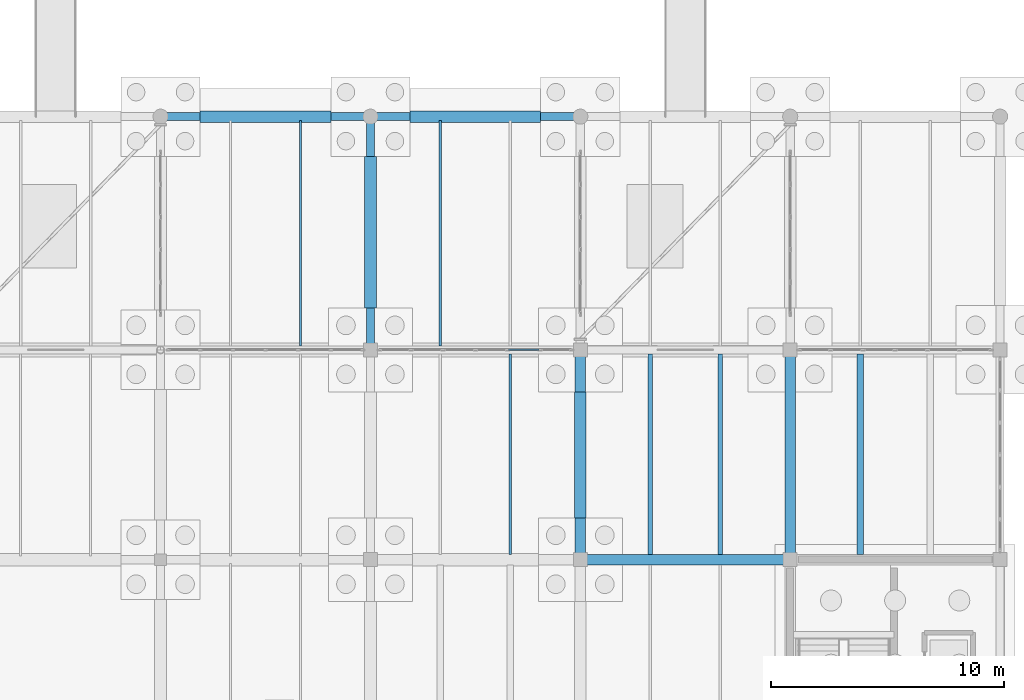
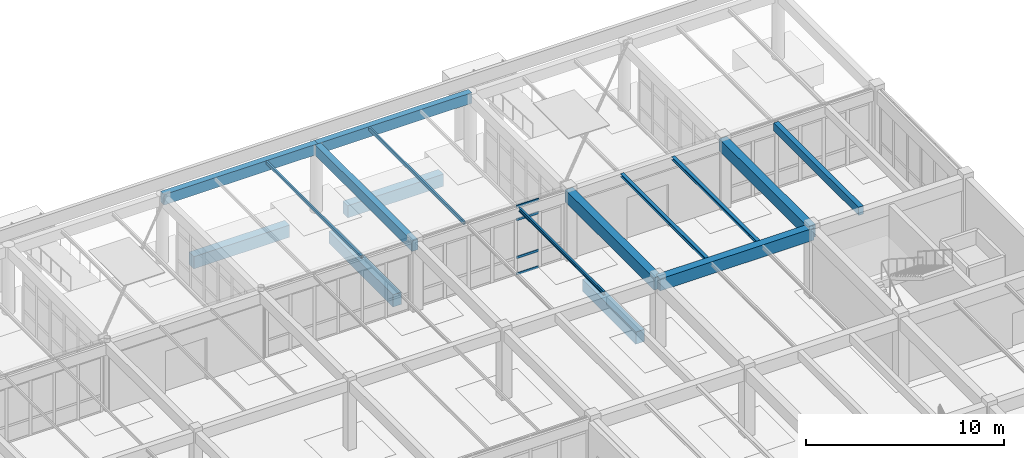
# One storey, part 136 of 186: 16 beams, 4 members, 1 element without a shape of its own.
"""IFC4 building model written with IfcOpenShell, lengths in metres."""

from ifc_helpers import new_model, si_unit, direction, frame, origin, origin_2d, place, context, subcontext, project, spatial, rectangle, hollow_rectangle, i_section, extrude, material, layer, layer_set, material_profile, profile_set, type_object, element, aggregate, save


model = new_model("IFC4")

# Units and contexts
model_context = context("Model", 3, precision=1e-05, world=origin(), true_north=direction((0.0, 1.0)))
body_context = subcontext(model_context, "Body", "Model", "MODEL_VIEW")
ifc_project = project(units=[si_unit("LENGTHUNIT", "METRE"), si_unit("AREAUNIT", "SQUARE_METRE"), si_unit("VOLUMEUNIT", "CUBIC_METRE"), si_unit("PLANEANGLEUNIT", "RADIAN"), si_unit("MASSUNIT", "GRAM", prefix="KILO")], contexts=[model_context])

# Site, building, storey
site_placement = place(None, origin())
site = spatial("IfcSite", under=ifc_project, at=site_placement, CompositionType="ELEMENT")
building_placement = place(site_placement, origin())
building = spatial("IfcBuilding", under=site, at=building_placement, Name="Ornek Quay Market", CompositionType="ELEMENT")
storey_placement = place(building_placement, origin())
storey = spatial("IfcBuildingStorey", under=building, at=storey_placement, Name="L00", CompositionType="ELEMENT", Elevation=0.0)

# Beams
ifc_material_1 = material(Name="Concrete C35/45", Category="concrete")
ifc_material_profile_1 = material_profile(ifc_material_1, rectangle(XDim=0.35009765625, YDim=0.64990234375, at=origin_2d()), Name="RC 350x650", Category="concrete")
ifc_profile_set_1 = profile_set([ifc_material_profile_1], Name="Concrete C35/45")
beam_type_1 = type_object("IfcBeamType", Name="BM-CONC-350x650", PredefinedType="BEAM", material=ifc_profile_set_1)
for number, where, z_axis, x_axis, name in (
    (1, (144.0, 120.0, 3.864990234375), (1.0, 0.0, 0.0), (0.0, 1.0, 0.0), "Primary beam B-CN1-041"),
    (2, (153.0, 120.0, 3.864990234375), (1.0, 0.0, 0.0), (0.0, 1.0, 0.0), "Primary beam B-CN1-042"),
):
    element("IfcBeam", number, at=place(storey_placement, frame(where, z_axis=z_axis, x_axis=x_axis)), inside=storey, type_object=beam_type_1, Name=name, PredefinedType="BEAM", context=body_context, shape_type="SweptSolid", body=[
        extrude(rectangle(XDim=0.35009765625, YDim=0.64990234375, at=origin_2d()), origin(), (0.0, 0.0, 1.0), 9.0),
    ])
beam_1_placement = place(storey_placement, frame((153.0, 110.0, 3.864990234375), z_axis=(0.0, 1.0, 0.0), x_axis=(-1.0, 0.0, 0.0)))
element("IfcBeam", 3, at=beam_1_placement, inside=storey, type_object=beam_type_1, Name="Primary beam B-CN1-048", PredefinedType="BEAM", context=body_context, shape_type="SweptSolid", body=[
    extrude(rectangle(XDim=0.35009765625, YDim=0.64990234375, at=origin_2d()), origin(), (0.0, 0.0, 1.0), 10.0),
])
ifc_material_2 = material(Name="Concrete C40/50", Category="concrete")
ifc_material_profile_2 = material_profile(ifc_material_2, rectangle(XDim=0.449951171875, YDim=0.75, at=origin_2d()), Name="RC 450x750", Category="concrete")
ifc_profile_set_2 = profile_set([ifc_material_profile_2], Name="Concrete C40/50")
beam_type_2 = type_object("IfcBeamType", Name="BM-FC-450x750", PredefinedType="BEAM", material=ifc_profile_set_2)
for number, where, z_axis, x_axis, name in (
    (4, (162.0, 101.0, 3.85498046875), (1.0, 0.0, 0.0), (0.0, 1.0, 0.0), "Primary beam B-FC1-025"),
    (5, (162.0, 101.0, 3.85498046875), (0.0, 1.0, 0.0), (-1.0, 0.0, 0.0), "Primary beam B-FC1-031"),
    (6, (171.0, 101.0, 3.85498046875), (0.0, 1.0, 0.0), (-1.0, 0.0, 0.0), "Primary beam B-FC1-036"),
):
    element("IfcBeam", number, at=place(storey_placement, frame(where, z_axis=z_axis, x_axis=x_axis)), inside=storey, type_object=beam_type_2, Name=name, PredefinedType="BEAM", context=body_context, shape_type="SweptSolid", body=[
        extrude(rectangle(XDim=0.449951171875, YDim=0.75, at=origin_2d()), origin(), (0.0, 0.0, 1.0), 9.0),
    ])
ifc_material_profile_3 = material_profile(ifc_material_1, rectangle(XDim=0.5, YDim=0.75, at=origin_2d()), Name="RC 500x750", Category="concrete")
ifc_profile_set_3 = profile_set([ifc_material_profile_3], Name="Concrete C35/45")
beam_type_3 = type_object("IfcBeamType", Name="BM-GB-500x750", PredefinedType="BEAM", material=ifc_profile_set_3)
for number, where, z_axis, x_axis, name in (
    (7, (145.699951171875, 120.0, -0.574951171875), (1.0, 0.0, 0.0), (0.0, 1.0, 0.0), "Ground tie beam GB-358"),
    (8, (154.699951171875, 120.0, -0.574951171875), (1.0, 0.0, 0.0), (0.0, 1.0, 0.0), "Ground tie beam GB-359"),
):
    element("IfcBeam", number, at=place(storey_placement, frame(where, z_axis=z_axis, x_axis=x_axis)), inside=storey, type_object=beam_type_3, Name=name, PredefinedType="BEAM", context=body_context, shape_type="SweptSolid", body=[
        extrude(rectangle(XDim=0.5, YDim=0.75, at=origin_2d()), origin(), (0.0, 0.0, 1.0), 5.60009765625),
    ])
beam_2_placement = place(storey_placement, frame((153.0, 111.800048828125, -0.574951171875), z_axis=(0.0, 1.0, 0.0), x_axis=(-1.0, 0.0, 0.0)))
element("IfcBeam", 9, at=beam_2_placement, inside=storey, type_object=beam_type_3, Name="Ground tie beam GB-399", PredefinedType="BEAM", context=body_context, shape_type="SweptSolid", body=[
    extrude(rectangle(XDim=0.5, YDim=0.75, at=origin_2d()), origin(), (0.0, 0.0, 1.0), 6.5),
])
beam_3_placement = place(storey_placement, frame((162.0, 102.800048828125, -0.574951171875), z_axis=(0.0, 1.0, 0.0), x_axis=(-1.0, 0.0, 0.0)))
element("IfcBeam", 10, at=beam_3_placement, inside=storey, type_object=beam_type_3, Name="Ground tie beam GB-410", PredefinedType="BEAM", context=body_context, shape_type="SweptSolid", body=[
    extrude(rectangle(XDim=0.5, YDim=0.75, at=origin_2d()), origin(), (0.0, 0.0, 1.0), 5.39990234375),
])
ifc_material_3 = material(Name="Steel S355", Category="steel")
ifc_material_profile_4 = material_profile(ifc_material_3, hollow_rectangle(XDim=0.10009765625, YDim=0.179931640625, WallThickness=0.008056640625, at=origin_2d()), Name="RHS 180x100x8", Category="steel")
ifc_profile_set_4 = profile_set([ifc_material_profile_4], Name="Steel S355")
beam_type_4 = type_object("IfcBeamType", Name="BM-RHS-RHS180x100x8", PredefinedType="BEAM", material=ifc_profile_set_4)
beam_4_placement = place(storey_placement, frame((150.0, 110.1669921875, 4.10009765625), z_axis=(0.0, 1.0, 0.0), x_axis=(-1.0, 0.0, 0.0)))
element("IfcBeam", 11, at=beam_4_placement, inside=storey, type_object=beam_type_4, Name="Secondary joist SR-03-008", PredefinedType="BEAM", context=body_context, shape_type="SweptSolid", body=[
    extrude(hollow_rectangle(XDim=0.10009765625, YDim=0.179931640625, WallThickness=0.008056640625, at=origin_2d()), origin(), (0.0, 0.0, 1.0), 9.666015625),
])
ifc_material_profile_5 = material_profile(ifc_material_3, hollow_rectangle(XDim=0.10009765625, YDim=0.199951171875, WallThickness=0.010009765625, at=origin_2d()), Name="RHS 200x100x10", Category="steel")
ifc_profile_set_5 = profile_set([ifc_material_profile_5], Name="Steel S355")
beam_type_5 = type_object("IfcBeamType", Name="BM-RHS-RHS200x100x10", PredefinedType="BEAM", material=ifc_profile_set_5)
beam_5_placement = place(storey_placement, frame((156.0, 110.1669921875, 4.090087890625), z_axis=(0.0, 1.0, 0.0), x_axis=(-1.0, 0.0, 0.0)))
element("IfcBeam", 12, at=beam_5_placement, inside=storey, type_object=beam_type_5, Name="Secondary joist SR-04-007", PredefinedType="BEAM", context=body_context, shape_type="SweptSolid", body=[
    extrude(hollow_rectangle(XDim=0.10009765625, YDim=0.199951171875, WallThickness=0.010009765625, at=origin_2d()), origin(), (0.0, 0.0, 1.0), 9.666015625),
])
ifc_material_profile_6 = material_profile(ifc_material_1, rectangle(XDim=0.280029296875, YDim=0.5, at=origin_2d()), Name="RC 280x500", Category="concrete")
ifc_profile_set_6 = profile_set([ifc_material_profile_6], Name="Concrete C35/45")
beam_type_6 = type_object("IfcBeamType", Name="BM-SEC-280x500", PredefinedType="JOIST", material=ifc_profile_set_6)
beam_6_placement = place(storey_placement, frame((174.0, 101.217041015625, 3.97998046875), z_axis=(0.0, 1.0, 0.0), x_axis=(-1.0, 0.0, 0.0)))
element("IfcBeam", 13, at=beam_6_placement, inside=storey, type_object=beam_type_6, Name="Secondary joist B-SC2-069", PredefinedType="JOIST", context=body_context, shape_type="SweptSolid", body=[
    extrude(rectangle(XDim=0.280029296875, YDim=0.5, at=origin_2d()), origin(), (0.0, 0.0, 1.0), 8.615966796875),
])
ifc_material_profile_7 = material_profile(ifc_material_3, i_section(OverallWidth=0.199951171875, OverallDepth=0.18994140625, WebThickness=0.006591796875, FlangeThickness=0.010009765625, FilletRadius=0.01806640625, at=origin_2d()), Name="HEA 200", Category="steel")
ifc_profile_set_7 = profile_set([ifc_material_profile_7], Name="Steel S355")
beam_type_7 = type_object("IfcBeamType", Name="BM-STL-HEA200", PredefinedType="BEAM", material=ifc_profile_set_7)
for number, where, z_axis, x_axis, name in (
    (14, (165.0, 101.217041015625, 4.135009765625), (0.0, 1.0, 0.0), (-1.0, 0.0, 0.0), "Secondary joist SB-12-017"),
    (15, (168.0, 101.217041015625, 4.135009765625), (0.0, 1.0, 0.0), (-1.0, 0.0, 0.0), "Secondary joist SB-12-018"),
):
    element("IfcBeam", number, at=place(storey_placement, frame(where, z_axis=z_axis, x_axis=x_axis)), inside=storey, type_object=beam_type_7, Name=name, PredefinedType="BEAM", context=body_context, shape_type="SweptSolid", body=[
        extrude(i_section(OverallWidth=0.199951171875, OverallDepth=0.18994140625, WebThickness=0.006591796875, FlangeThickness=0.010009765625, FilletRadius=0.01806640625, at=origin_2d()), origin(), (0.0, 0.0, 1.0), 8.615966796875),
    ])
ifc_material_profile_8 = material_profile(ifc_material_3, i_section(OverallWidth=0.110107421875, OverallDepth=0.219970703125, WebThickness=0.005859375, FlangeThickness=0.00927734375, FilletRadius=0.011962890625, at=origin_2d()), Name="IPE 220", Category="steel")
ifc_profile_set_8 = profile_set([ifc_material_profile_8], Name="Steel S355")
beam_type_8 = type_object("IfcBeamType", Name="BM-STL-IPE220", PredefinedType="JOIST", material=ifc_profile_set_8)
beam_7_placement = place(storey_placement, frame((159.0, 101.217041015625, 4.1201171875), z_axis=(0.0, 1.0, 0.0), x_axis=(-1.0, 0.0, 0.0)))
element("IfcBeam", 16, at=beam_7_placement, inside=storey, type_object=beam_type_8, Name="Secondary joist SB-03-023", PredefinedType="JOIST", context=body_context, shape_type="SweptSolid", body=[
    extrude(i_section(OverallWidth=0.110107421875, OverallDepth=0.219970703125, WebThickness=0.005859375, FlangeThickness=0.00927734375, FilletRadius=0.011962890625, at=origin_2d()), origin(), (0.0, 0.0, 1.0), 8.615966796875),
])

# Curtain wall, members
ifc_material_4 = material(Name="Anodised bronze aluminium and triple low-e glass", Category="aluminium")
ifc_layer = layer(ifc_material_4, 0.18994140625, Name="Anodised bronze aluminium and triple low-e glass", Category="aluminium")
ifc_layer_set = layer_set([ifc_layer], Name="Anodised bronze aluminium and triple low-e glass")
curtain_wall_type = type_object("IfcCurtainWallType", Name="CW-FC-MOD1500", PredefinedType="USERDEFINED", material=ifc_layer_set)
curtain_wall_placement = place(storey_placement, origin())
curtain_wall = element("IfcCurtainWall", 17, at=curtain_wall_placement, inside=storey, type_object=curtain_wall_type, Name="Curtain wall CW-079", ObjectType="CURTAIN WALL", PredefinedType="USERDEFINED")
ifc_material_5 = material(Name="Anodised aluminium 6063-T6", Category="aluminium")
ifc_material_profile_9 = material_profile(ifc_material_5, hollow_rectangle(XDim=0.06494140625, YDim=0.139892578125, WallThickness=0.00439453125, at=origin_2d()), Name="CW-TRN-65x140", Category="aluminium")
ifc_profile_set_9 = profile_set([ifc_material_profile_9], Name="Anodised aluminium 6063-T6")
member_type = type_object("IfcMemberType", Name="CW-TRN-65x140", PredefinedType="USERDEFINED", material=ifc_profile_set_9)
member_1_placement = place(storey_placement, frame((158.918212890625, 110.0, 0.032470703125), z_axis=(1.0, 0.0, 0.0), x_axis=(0.0, 1.0, 0.0)))
member_1 = element("IfcMember", 18, at=member_1_placement, type_object=member_type, Name="CW-079 transom 5.1", ObjectType="TRANSOM", PredefinedType="USERDEFINED", context=body_context, shape_type="SweptSolid", body=[
    extrude(hollow_rectangle(XDim=0.06494140625, YDim=0.139892578125, WallThickness=0.00439453125, at=origin_2d()), origin(), (0.0, 0.0, 1.0), 1.3134765625),
])
member_2_placement = place(storey_placement, frame((158.918212890625, 110.0, 1.050048828125), z_axis=(1.0, 0.0, 0.0), x_axis=(0.0, 1.0, 0.0)))
member_2 = element("IfcMember", 19, at=member_2_placement, type_object=member_type, Name="CW-079 transom 5.2", ObjectType="TRANSOM", PredefinedType="USERDEFINED", context=body_context, shape_type="SweptSolid", body=[
    extrude(hollow_rectangle(XDim=0.06494140625, YDim=0.139892578125, WallThickness=0.00439453125, at=origin_2d()), origin(), (0.0, 0.0, 1.0), 1.3134765625),
])
member_3_placement = place(storey_placement, frame((158.918212890625, 110.0, 3.3798828125), z_axis=(1.0, 0.0, 0.0), x_axis=(0.0, 1.0, 0.0)))
member_3 = element("IfcMember", 20, at=member_3_placement, type_object=member_type, Name="CW-079 transom 5.3", ObjectType="TRANSOM", PredefinedType="USERDEFINED", context=body_context, shape_type="SweptSolid", body=[
    extrude(hollow_rectangle(XDim=0.06494140625, YDim=0.139892578125, WallThickness=0.00439453125, at=origin_2d()), origin(), (0.0, 0.0, 1.0), 1.3134765625),
])
member_4_placement = place(storey_placement, frame((158.918212890625, 110.0, 4.197509765625), z_axis=(1.0, 0.0, 0.0), x_axis=(0.0, 1.0, 0.0)))
member_4 = element("IfcMember", 21, at=member_4_placement, type_object=member_type, Name="CW-079 transom 5.4", ObjectType="TRANSOM", PredefinedType="USERDEFINED", context=body_context, shape_type="SweptSolid", body=[
    extrude(hollow_rectangle(XDim=0.06494140625, YDim=0.139892578125, WallThickness=0.00439453125, at=origin_2d()), origin(), (0.0, 0.0, 1.0), 1.3134765625),
])
aggregate(curtain_wall, [member_1, member_2, member_3, member_4])

save(model, "model.ifc")
